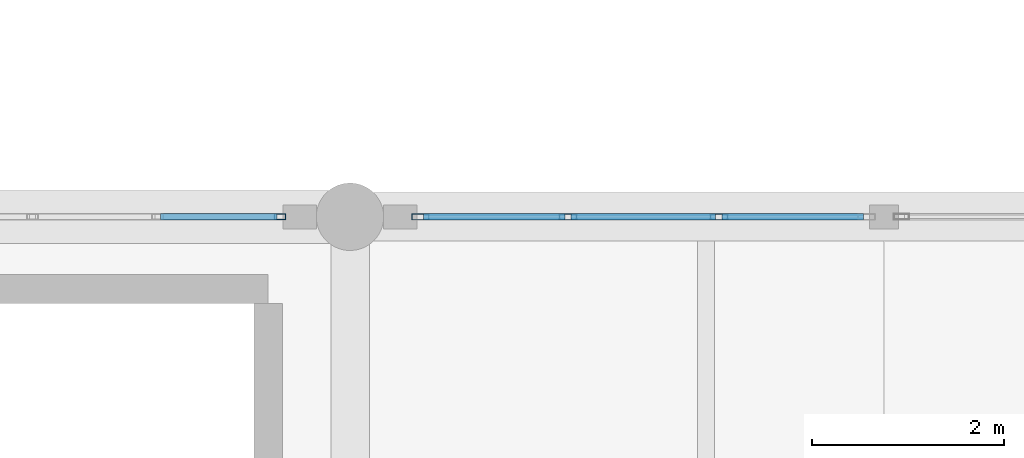
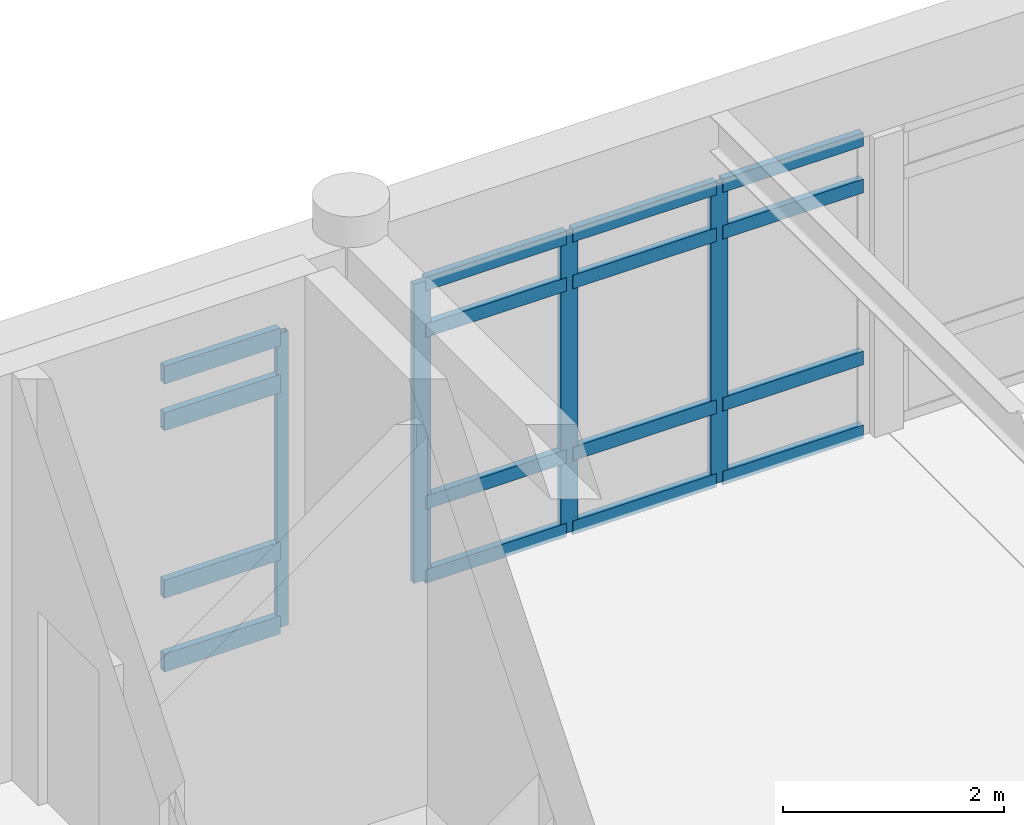
# One storey, part 28 of 80: 20 members, 2 elements without a shape of their own.
"""IFC4 building model written with IfcOpenShell, lengths in metres."""

from ifc_helpers import new_model, si_unit, direction, frame, origin, origin_2d, place, context, subcontext, project, spatial, hollow_rectangle, extrude, material, layer, layer_set, material_profile, profile_set, type_object, element, aggregate, save


model = new_model("IFC4")

# Units and contexts
model_context = context("Model", 3, precision=1e-05, world=origin(), true_north=direction((0.0, 1.0)))
body_context = subcontext(model_context, "Body", "Model", "MODEL_VIEW")
ifc_project = project(units=[si_unit("LENGTHUNIT", "METRE"), si_unit("AREAUNIT", "SQUARE_METRE"), si_unit("VOLUMEUNIT", "CUBIC_METRE"), si_unit("PLANEANGLEUNIT", "RADIAN"), si_unit("MASSUNIT", "GRAM", prefix="KILO")], contexts=[model_context])

# Site, building, storey
site_placement = place(None, origin())
site = spatial("IfcSite", under=ifc_project, at=site_placement, CompositionType="ELEMENT")
building_placement = place(site_placement, origin())
building = spatial("IfcBuilding", under=site, at=building_placement, Name="Fikremerkos Civic Library", CompositionType="ELEMENT")
storey_placement = place(building_placement, frame((0.0, 0.0, 9.89990234375)))
storey = spatial("IfcBuildingStorey", under=building, at=storey_placement, Name="L02", CompositionType="ELEMENT", Elevation=9.89990234375)

# Curtain wall, members
ifc_material = material(Name="Anodized aluminium Frame", Category="aluminium")
ifc_layer_1 = layer(ifc_material, 0.159912109375, Name="Anodized aluminium Frame")
ifc_layer_set_1 = layer_set([ifc_layer_1], Name="Anodized aluminium Frame")
curtain_wall_type_1 = type_object("IfcCurtainWallType", Name="Unitised curtain wall CW-09 3600x3400", PredefinedType="USERDEFINED", material=ifc_layer_set_1)
curtain_wall_1_placement = place(storey_placement, origin())
curtain_wall_1 = element("IfcCurtainWall", 1, at=curtain_wall_1_placement, inside=storey, type_object=curtain_wall_type_1, Name="Unitised curtain wall CW-09 L02 #171", ObjectType="UNITISED CURTAIN WALL", PredefinedType="USERDEFINED")
ifc_material_profile_1 = material_profile(ifc_material, hollow_rectangle(XDim=0.06494140625, YDim=0.179931640625, WallThickness=0.00439453125, at=origin_2d()), Name="ALU 180x65x4.5")
ifc_profile_set_1 = profile_set([ifc_material_profile_1], Name="Anodized aluminium Frame")
member_type_1 = type_object("IfcMemberType", Name="Curtain mullion CWM-01 ALU 180x65x4.5", PredefinedType="MULLION", material=ifc_profile_set_1)
member_1_placement = place(storey_placement, frame((114.430419921875, 31.199951171875, 0.0), z_axis=(0.0, 0.0, 1.0), x_axis=(0.0, 1.0, 0.0)))
member_1 = element("IfcMember", 2, at=member_1_placement, type_object=member_type_1, Name="CW-09 mullion 1", PredefinedType="MULLION", context=body_context, shape_type="SweptSolid", body=[
    extrude(hollow_rectangle(XDim=0.06494140625, YDim=0.179931640625, WallThickness=0.00439453125, at=origin_2d()), origin(), (0.0, 0.0, 1.0), 3.300048828125),
])
member_2_placement = place(storey_placement, frame((115.96533203125, 31.199951171875, 0.0), z_axis=(0.0, 0.0, 1.0), x_axis=(0.0, 1.0, 0.0)))
member_2 = element("IfcMember", 3, at=member_2_placement, type_object=member_type_1, Name="CW-09 mullion 2", PredefinedType="MULLION", context=body_context, shape_type="SweptSolid", body=[
    extrude(hollow_rectangle(XDim=0.06494140625, YDim=0.179931640625, WallThickness=0.00439453125, at=origin_2d()), origin(), (0.0, 0.0, 1.0), 3.300048828125),
])
member_3_placement = place(storey_placement, frame((117.53271484375, 31.199951171875, 0.0), z_axis=(0.0, 0.0, 1.0), x_axis=(0.0, 1.0, 0.0)))
member_3 = element("IfcMember", 4, at=member_3_placement, type_object=member_type_1, Name="CW-09 mullion 3", PredefinedType="MULLION", context=body_context, shape_type="SweptSolid", body=[
    extrude(hollow_rectangle(XDim=0.06494140625, YDim=0.179931640625, WallThickness=0.00439453125, at=origin_2d()), origin(), (0.0, 0.0, 1.0), 3.300048828125),
])

# Curtain wall, member
ifc_layer_2 = layer(ifc_material, 0.159912109375, Name="Anodized aluminium Frame")
ifc_layer_set_2 = layer_set([ifc_layer_2], Name="Anodized aluminium Frame")
curtain_wall_type_2 = type_object("IfcCurtainWallType", Name="Unitised curtain wall CW-08 4500x4100", PredefinedType="USERDEFINED", material=ifc_layer_set_2)
curtain_wall_2_placement = place(storey_placement, origin())
curtain_wall_2 = element("IfcCurtainWall", 5, at=curtain_wall_2_placement, inside=storey, type_object=curtain_wall_type_2, Name="Unitised curtain wall CW-08 L02 #170", ObjectType="UNITISED CURTAIN WALL", PredefinedType="USERDEFINED")
ifc_material_profile_2 = material_profile(ifc_material, hollow_rectangle(XDim=0.06005859375, YDim=0.1201171875, WallThickness=0.00390625, at=origin_2d()), Name="ALU 120x60x4")
ifc_profile_set_2 = profile_set([ifc_material_profile_2], Name="Anodized aluminium Frame")
member_type_2 = type_object("IfcMemberType", Name="Curtain mullion CWM-04 ALU 120x60x4", PredefinedType="MULLION", material=ifc_profile_set_2)
member_4_placement = place(storey_placement, frame((112.971923828125, 31.199951171875, 0.0), z_axis=(0.0, 0.0, 1.0), x_axis=(0.0, 1.0, 0.0)))
member_4 = element("IfcMember", 6, at=member_4_placement, type_object=member_type_2, Name="CW-08 mullion 4", PredefinedType="MULLION", context=body_context, shape_type="SweptSolid", body=[
    extrude(hollow_rectangle(XDim=0.06005859375, YDim=0.1201171875, WallThickness=0.00390625, at=origin_2d()), origin(), (0.0, 0.0, 1.0), 3.25),
])

# Member
ifc_material_profile_3 = material_profile(ifc_material, hollow_rectangle(XDim=0.070068359375, YDim=0.14990234375, WallThickness=0.00439453125, at=origin_2d()), Name="ALU 150x70x4.5")
ifc_profile_set_3 = profile_set([ifc_material_profile_3], Name="Anodized aluminium Frame")
member_type_3 = type_object("IfcMemberType", Name="Curtain transom CWT-01 ALU 150x70x4.5", PredefinedType="USERDEFINED", material=ifc_profile_set_3)
member_5_placement = place(storey_placement, frame((114.462890625, 31.199951171875, 0.03515625), z_axis=(1.0, 0.0, 0.0), x_axis=(0.0, 1.0, 0.0)))
member_5 = element("IfcMember", 7, at=member_5_placement, type_object=member_type_3, Name="CW-09 transom 1.1", ObjectType="TRANSOM", PredefinedType="USERDEFINED", context=body_context, shape_type="SweptSolid", body=[
    extrude(hollow_rectangle(XDim=0.070068359375, YDim=0.14990234375, WallThickness=0.00439453125, at=origin_2d()), origin(), (0.0, 0.0, 1.0), 1.469970703125),
])

member_6_placement = place(storey_placement, frame((114.462890625, 31.199951171875, 0.85009765625), z_axis=(1.0, 0.0, 0.0), x_axis=(0.0, 1.0, 0.0)))
member_6 = element("IfcMember", 8, at=member_6_placement, type_object=member_type_3, Name="CW-09 transom 1.2", ObjectType="TRANSOM", PredefinedType="USERDEFINED", context=body_context, shape_type="SweptSolid", body=[
    extrude(hollow_rectangle(XDim=0.070068359375, YDim=0.14990234375, WallThickness=0.00439453125, at=origin_2d()), origin(), (0.0, 0.0, 1.0), 1.469970703125),
])

member_7_placement = place(storey_placement, frame((114.462890625, 31.199951171875, 2.75), z_axis=(1.0, 0.0, 0.0), x_axis=(0.0, 1.0, 0.0)))
member_7 = element("IfcMember", 9, at=member_7_placement, type_object=member_type_3, Name="CW-09 transom 1.3", ObjectType="TRANSOM", PredefinedType="USERDEFINED", context=body_context, shape_type="SweptSolid", body=[
    extrude(hollow_rectangle(XDim=0.070068359375, YDim=0.14990234375, WallThickness=0.00439453125, at=origin_2d()), origin(), (0.0, 0.0, 1.0), 1.469970703125),
])

member_8_placement = place(storey_placement, frame((114.462890625, 31.199951171875, 3.26513671875), z_axis=(1.0, 0.0, 0.0), x_axis=(0.0, 1.0, 0.0)))
member_8 = element("IfcMember", 10, at=member_8_placement, type_object=member_type_3, Name="CW-09 transom 1.4", ObjectType="TRANSOM", PredefinedType="USERDEFINED", context=body_context, shape_type="SweptSolid", body=[
    extrude(hollow_rectangle(XDim=0.070068359375, YDim=0.14990234375, WallThickness=0.00439453125, at=origin_2d()), origin(), (0.0, 0.0, 1.0), 1.469970703125),
])

member_9_placement = place(storey_placement, frame((115.997802734375, 31.199951171875, 0.03515625), z_axis=(1.0, 0.0, 0.0), x_axis=(0.0, 1.0, 0.0)))
member_9 = element("IfcMember", 11, at=member_9_placement, type_object=member_type_3, Name="CW-09 transom 2.1", ObjectType="TRANSOM", PredefinedType="USERDEFINED", context=body_context, shape_type="SweptSolid", body=[
    extrude(hollow_rectangle(XDim=0.070068359375, YDim=0.14990234375, WallThickness=0.00439453125, at=origin_2d()), origin(), (0.0, 0.0, 1.0), 1.50244140625),
])

member_10_placement = place(storey_placement, frame((115.997802734375, 31.199951171875, 0.85009765625), z_axis=(1.0, 0.0, 0.0), x_axis=(0.0, 1.0, 0.0)))
member_10 = element("IfcMember", 12, at=member_10_placement, type_object=member_type_3, Name="CW-09 transom 2.2", ObjectType="TRANSOM", PredefinedType="USERDEFINED", context=body_context, shape_type="SweptSolid", body=[
    extrude(hollow_rectangle(XDim=0.070068359375, YDim=0.14990234375, WallThickness=0.00439453125, at=origin_2d()), origin(), (0.0, 0.0, 1.0), 1.50244140625),
])

member_11_placement = place(storey_placement, frame((115.997802734375, 31.199951171875, 2.75), z_axis=(1.0, 0.0, 0.0), x_axis=(0.0, 1.0, 0.0)))
member_11 = element("IfcMember", 13, at=member_11_placement, type_object=member_type_3, Name="CW-09 transom 2.3", ObjectType="TRANSOM", PredefinedType="USERDEFINED", context=body_context, shape_type="SweptSolid", body=[
    extrude(hollow_rectangle(XDim=0.070068359375, YDim=0.14990234375, WallThickness=0.00439453125, at=origin_2d()), origin(), (0.0, 0.0, 1.0), 1.50244140625),
])

member_12_placement = place(storey_placement, frame((115.997802734375, 31.199951171875, 3.26513671875), z_axis=(1.0, 0.0, 0.0), x_axis=(0.0, 1.0, 0.0)))
member_12 = element("IfcMember", 14, at=member_12_placement, type_object=member_type_3, Name="CW-09 transom 2.4", ObjectType="TRANSOM", PredefinedType="USERDEFINED", context=body_context, shape_type="SweptSolid", body=[
    extrude(hollow_rectangle(XDim=0.070068359375, YDim=0.14990234375, WallThickness=0.00439453125, at=origin_2d()), origin(), (0.0, 0.0, 1.0), 1.50244140625),
])

member_13_placement = place(storey_placement, frame((117.565185546875, 31.199951171875, 0.03515625), z_axis=(1.0, 0.0, 0.0), x_axis=(0.0, 1.0, 0.0)))
member_13 = element("IfcMember", 15, at=member_13_placement, type_object=member_type_3, Name="CW-09 transom 3.1", ObjectType="TRANSOM", PredefinedType="USERDEFINED", context=body_context, shape_type="SweptSolid", body=[
    extrude(hollow_rectangle(XDim=0.070068359375, YDim=0.14990234375, WallThickness=0.00439453125, at=origin_2d()), origin(), (0.0, 0.0, 1.0), 1.4697265625),
])

member_14_placement = place(storey_placement, frame((117.565185546875, 31.199951171875, 0.85009765625), z_axis=(1.0, 0.0, 0.0), x_axis=(0.0, 1.0, 0.0)))
member_14 = element("IfcMember", 16, at=member_14_placement, type_object=member_type_3, Name="CW-09 transom 3.2", ObjectType="TRANSOM", PredefinedType="USERDEFINED", context=body_context, shape_type="SweptSolid", body=[
    extrude(hollow_rectangle(XDim=0.070068359375, YDim=0.14990234375, WallThickness=0.00439453125, at=origin_2d()), origin(), (0.0, 0.0, 1.0), 1.4697265625),
])

member_15_placement = place(storey_placement, frame((117.565185546875, 31.199951171875, 2.75), z_axis=(1.0, 0.0, 0.0), x_axis=(0.0, 1.0, 0.0)))
member_15 = element("IfcMember", 17, at=member_15_placement, type_object=member_type_3, Name="CW-09 transom 3.3", ObjectType="TRANSOM", PredefinedType="USERDEFINED", context=body_context, shape_type="SweptSolid", body=[
    extrude(hollow_rectangle(XDim=0.070068359375, YDim=0.14990234375, WallThickness=0.00439453125, at=origin_2d()), origin(), (0.0, 0.0, 1.0), 1.4697265625),
])

member_16_placement = place(storey_placement, frame((117.565185546875, 31.199951171875, 3.26513671875), z_axis=(1.0, 0.0, 0.0), x_axis=(0.0, 1.0, 0.0)))
member_16 = element("IfcMember", 18, at=member_16_placement, type_object=member_type_3, Name="CW-09 transom 3.4", ObjectType="TRANSOM", PredefinedType="USERDEFINED", context=body_context, shape_type="SweptSolid", body=[
    extrude(hollow_rectangle(XDim=0.070068359375, YDim=0.14990234375, WallThickness=0.00439453125, at=origin_2d()), origin(), (0.0, 0.0, 1.0), 1.4697265625),
])

aggregate(curtain_wall_1, [member_1, member_2, member_3, member_5, member_6, member_7, member_8, member_9, member_10, member_11, member_12, member_13, member_14, member_15, member_16])

ifc_material_profile_4 = material_profile(ifc_material, hollow_rectangle(XDim=0.070068359375, YDim=0.199951171875, WallThickness=0.0048828125, at=origin_2d()), Name="ALU 200x70x5")
ifc_profile_set_4 = profile_set([ifc_material_profile_4], Name="Anodized aluminium Frame")
member_type_4 = type_object("IfcMemberType", Name="Curtain transom CWT-04 ALU 200x70x5", PredefinedType="USERDEFINED", material=ifc_profile_set_4)
member_17_placement = place(storey_placement, frame((111.7314453125, 31.199951171875, 0.03515625), z_axis=(1.0, 0.0, 0.0), x_axis=(0.0, 1.0, 0.0)))
member_17 = element("IfcMember", 19, at=member_17_placement, type_object=member_type_4, Name="CW-08 transom 3.1", ObjectType="TRANSOM", PredefinedType="USERDEFINED", context=body_context, shape_type="SweptSolid", body=[
    extrude(hollow_rectangle(XDim=0.070068359375, YDim=0.199951171875, WallThickness=0.0048828125, at=origin_2d()), origin(), (0.0, 0.0, 1.0), 1.21044921875),
])

member_18_placement = place(storey_placement, frame((111.7314453125, 31.199951171875, 0.85009765625), z_axis=(1.0, 0.0, 0.0), x_axis=(0.0, 1.0, 0.0)))
member_18 = element("IfcMember", 20, at=member_18_placement, type_object=member_type_4, Name="CW-08 transom 3.2", ObjectType="TRANSOM", PredefinedType="USERDEFINED", context=body_context, shape_type="SweptSolid", body=[
    extrude(hollow_rectangle(XDim=0.070068359375, YDim=0.199951171875, WallThickness=0.0048828125, at=origin_2d()), origin(), (0.0, 0.0, 1.0), 1.21044921875),
])

member_19_placement = place(storey_placement, frame((111.7314453125, 31.199951171875, 2.7001953125), z_axis=(1.0, 0.0, 0.0), x_axis=(0.0, 1.0, 0.0)))
member_19 = element("IfcMember", 21, at=member_19_placement, type_object=member_type_4, Name="CW-08 transom 3.3", ObjectType="TRANSOM", PredefinedType="USERDEFINED", context=body_context, shape_type="SweptSolid", body=[
    extrude(hollow_rectangle(XDim=0.070068359375, YDim=0.199951171875, WallThickness=0.0048828125, at=origin_2d()), origin(), (0.0, 0.0, 1.0), 1.21044921875),
])

member_20_placement = place(storey_placement, frame((111.7314453125, 31.199951171875, 3.215087890625), z_axis=(1.0, 0.0, 0.0), x_axis=(0.0, 1.0, 0.0)))
member_20 = element("IfcMember", 22, at=member_20_placement, type_object=member_type_4, Name="CW-08 transom 3.4", ObjectType="TRANSOM", PredefinedType="USERDEFINED", context=body_context, shape_type="SweptSolid", body=[
    extrude(hollow_rectangle(XDim=0.070068359375, YDim=0.199951171875, WallThickness=0.0048828125, at=origin_2d()), origin(), (0.0, 0.0, 1.0), 1.21044921875),
])

aggregate(curtain_wall_2, [member_4, member_17, member_18, member_19, member_20])

save(model, "model.ifc")
